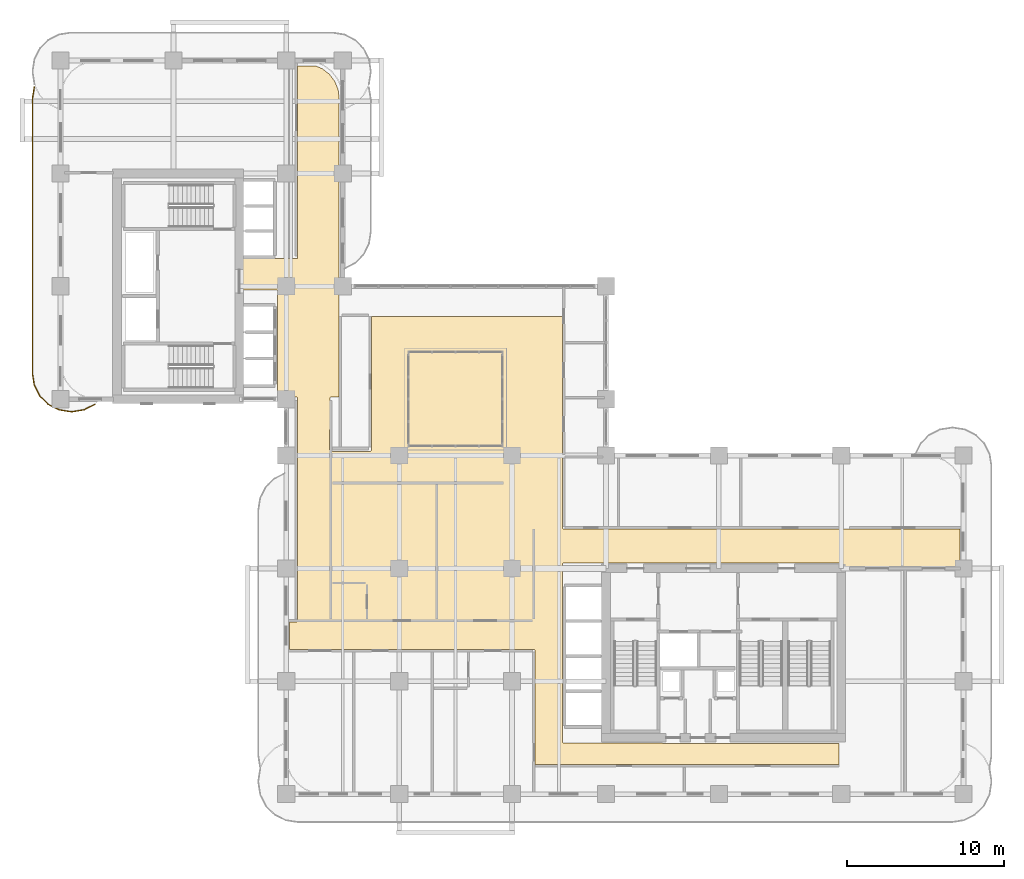
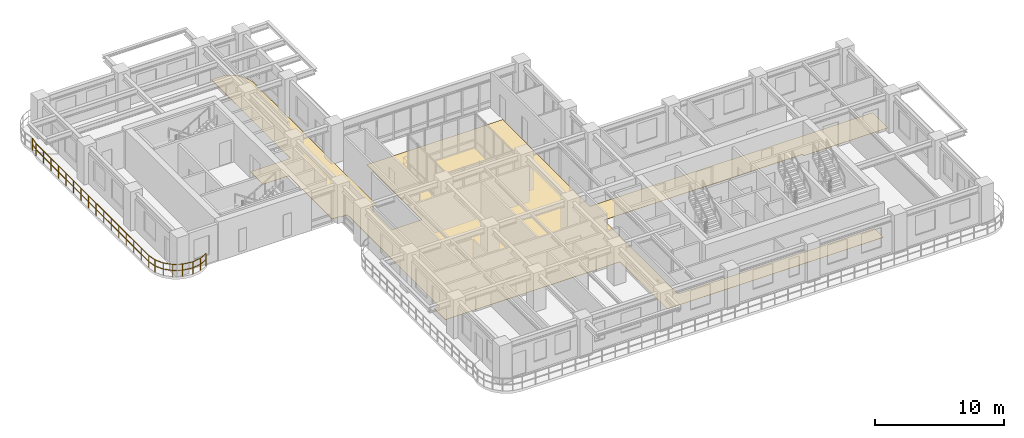
# One storey, part 21 of 22: 1 covering, 1 railing.
"""IFC4 building model written with IfcOpenShell, lengths in metres."""

from ifc_helpers import new_model, si_unit, derived_unit, direction, frame, origin, origin_2d, place, context, subcontext, project, spatial, polyline, rectangle, outline, extrude, material, layer, layer_set, type_object, element, save


model = new_model("IFC4")

# Units and contexts
model_context = context("Model", 3, precision=1e-05, world=origin(), true_north=direction((0.0, 1.0)))
body_context = subcontext(model_context, "Body", "Model", "MODEL_VIEW")
ifc_project = project(units=[si_unit("LENGTHUNIT", "METRE"), si_unit("AREAUNIT", "SQUARE_METRE"), si_unit("VOLUMEUNIT", "CUBIC_METRE"), si_unit("PLANEANGLEUNIT", "RADIAN"), si_unit("MASSUNIT", "GRAM", prefix="KILO"), si_unit("THERMODYNAMICTEMPERATUREUNIT", "KELVIN"), si_unit("POWERUNIT", "WATT"), derived_unit("THERMALTRANSMITTANCEUNIT", [(si_unit("POWERUNIT", "WATT"), 1), (si_unit("AREAUNIT", "SQUARE_METRE"), -1), (si_unit("THERMODYNAMICTEMPERATUREUNIT", "KELVIN"), -1)])], contexts=[model_context])

# Site, building, storey
site_placement = place(None, origin())
site = spatial("IfcSite", under=ifc_project, at=site_placement, CompositionType="ELEMENT")
building_placement = place(site_placement, origin())
building = spatial("IfcBuilding", under=site, at=building_placement, Name="Zahravan Archway Hotel and Residences", CompositionType="ELEMENT")
storey_placement = place(building_placement, frame((0.0, 0.0, 95.300048828125)))
storey = spatial("IfcBuildingStorey", under=building, at=storey_placement, Name="L23", CompositionType="ELEMENT", Elevation=95.300048828125)

# Covering
ifc_material_1 = material(Name="Engineered Walnut Parquet Flooring")
ifc_layer = layer(ifc_material_1, 0.02197265625, Name="Engineered Walnut Parquet Flooring")
ifc_layer_set = layer_set([ifc_layer], Name="Engineered Walnut Parquet Flooring")
covering_type = type_object("IfcCoveringType", Name="COV-FLR-TIMB", PredefinedType="FLOORING", material=ifc_layer_set)
covering_placement = place(storey_placement, origin())
element("IfcCovering", 1, at=covering_placement, inside=storey, type_object=covering_type, Name="L23 Circulation Floor Finish", PredefinedType="FLOORING", context=body_context, shape_type="SweptSolid", body=[
    extrude(outline(polyline([(32.021484375, 3.309326171875), (32.04345703125, 3.268310546875), (32.08447265625, 3.24658203125), (49.669921875, 3.2451171875), (49.669921875, 1.8798828125), (30.280029296875, 1.8798828125), (30.280029296875, 9.14990234375), (30.2666015625, 9.1943359375), (30.230712890625, 9.223876953125), (14.6201171875, 9.22998046875), (14.6201171875, 10.989990234375), (15.050048828125, 10.989990234375), (15.094482421875, 11.00341796875), (15.123779296875, 11.039306640625), (15.1298828125, 25.25), (15.116455078125, 25.29443359375), (15.08056640625, 25.323974609375), (14.5771484375, 25.330078125), (14.53955078125, 25.3701171875), (14.503662109375, 25.39404296875), (14.4638671875, 25.410400390625), (14.421630859375, 25.4189453125), (13.830078125, 25.419921875), (13.830078125, 32.10009765625), (13.81640625, 32.144287109375), (13.780517578125, 32.173828125), (11.530029296875, 32.179931640625), (11.530029296875, 34.169921875), (15.050048828125, 34.169921875), (15.094482421875, 34.18359375), (15.123779296875, 34.219482421875), (15.1298828125, 46.469970703125), (16.24560546875, 46.469970703125), (16.689208984375, 46.286376953125), (17.14013671875, 45.940185546875), (17.486328125, 45.489013671875), (17.703857421875, 44.9638671875), (17.77001953125, 44.46142578125), (17.77001953125, 25.330078125), (17.25, 25.330078125), (17.20556640625, 25.31640625), (17.176025390625, 25.280517578125), (17.169921875, 21.949951171875), (17.18359375, 21.905517578125), (17.219482421875, 21.876220703125), (19.75, 21.8701171875), (19.79443359375, 21.883544921875), (19.823974609375, 21.91943359375), (19.830078125, 30.469970703125), (32.02001953125, 30.469970703125), (32.02001953125, 17.0), (32.033447265625, 16.95556640625), (32.0693359375, 16.926025390625), (57.3798828125, 16.919921875), (57.3798828125, 14.530029296875), (49.830078125, 14.530029296875), (49.830078125, 14.675048828125), (49.81640625, 14.719482421875), (49.780517578125, 14.748779296875), (32.10009765625, 14.7548828125), (32.0556640625, 14.741455078125), (32.026123046875, 14.70556640625), (32.02001953125, 3.324951171875), (32.021484375, 3.309326171875)])), origin(), (0.0, 0.0, 1.0), 0.02197265625),
])

# Railing
ifc_material_2 = material(Name="Bronze & Laminated Glass Balustrade", Category="glass")
railing_type = type_object("IfcRailingType", Name="RL-BAL-1200", PredefinedType="BALUSTRADE", material=ifc_material_2)
railing_placement = place(storey_placement, frame((2.190185546875, 24.867919921875, 0.0)))
element("IfcRailing", 2, at=railing_placement, inside=storey, type_object=railing_type, Name="L23 Balustrade RL-SLB-BAL-L23-WB-1", PredefinedType="BALUSTRADE", context=body_context, shape_type="SweptSolid", body=[
    extrude(rectangle(XDim=0.048095703125, YDim=0.048095703125, at=origin_2d()), frame((0.0, 0.0, 1.17578125), z_axis=(-0.891090529897, -0.453825591531, 0.0), x_axis=(0.453825591531, -0.891090529897, 0.0)), (0.0, 0.0, 1.0), 0.7666015625),
    extrude(rectangle(XDim=0.048095703125, YDim=0.048095703125, at=origin_2d()), frame((0.0, 0.0, 0.60009765625), z_axis=(-0.891090529897, -0.453825591531, 0.0), x_axis=(0.453825591531, -0.891090529897, 0.0)), (0.0, 0.0, 1.0), 0.7666015625),
    extrude(rectangle(XDim=0.048095703125, YDim=0.048095703125, at=origin_2d()), frame((-0.68310546875, -0.347900390625, 1.17578125), z_axis=(-0.987646484274, -0.156698507018, 0.0), x_axis=(0.156698507018, -0.987646484274, 0.0)), (0.0, 0.0, 1.0), 0.7666015625),
    extrude(rectangle(XDim=0.048095703125, YDim=0.048095703125, at=origin_2d()), frame((-0.68310546875, -0.347900390625, 0.60009765625), z_axis=(-0.987646484274, -0.156698507018, 0.0), x_axis=(0.156698507018, -0.987646484274, 0.0)), (0.0, 0.0, 1.0), 0.7666015625),
    extrude(rectangle(XDim=0.048095703125, YDim=0.048095703125, at=origin_2d()), frame((-1.440185546875, -0.468017578125, 1.17578125), z_axis=(-1.0, 0.0, 0.0), x_axis=(0.0, -1.0, 0.0)), (0.0, 0.0, 1.0), 0.10009765625),
    extrude(rectangle(XDim=0.048095703125, YDim=0.048095703125, at=origin_2d()), frame((-1.440185546875, -0.468017578125, 0.60009765625), z_axis=(-1.0, 0.0, 0.0), x_axis=(0.0, -1.0, 0.0)), (0.0, 0.0, 1.0), 0.10009765625),
    extrude(rectangle(XDim=0.048095703125, YDim=0.048095703125, at=origin_2d()), frame((-1.540283203125, -0.468017578125, 1.17578125), z_axis=(-0.987646484274, 0.156698507018, 0.0), x_axis=(-0.156698507018, -0.987646484274, 0.0)), (0.0, 0.0, 1.0), 0.7666015625),
    extrude(rectangle(XDim=0.048095703125, YDim=0.048095703125, at=origin_2d()), frame((-1.540283203125, -0.468017578125, 0.60009765625), z_axis=(-0.987646484274, 0.156698507018, 0.0), x_axis=(-0.156698507018, -0.987646484274, 0.0)), (0.0, 0.0, 1.0), 0.7666015625),
    extrude(rectangle(XDim=0.048095703125, YDim=0.048095703125, at=origin_2d()), frame((-2.29736328125, -0.347900390625, 1.17578125), z_axis=(-0.891024909783, 0.453954414172, 0.0), x_axis=(-0.453954414172, -0.891024909783, 0.0)), (0.0, 0.0, 1.0), 0.766357421875),
    extrude(rectangle(XDim=0.048095703125, YDim=0.048095703125, at=origin_2d()), frame((-2.29736328125, -0.347900390625, 0.60009765625), z_axis=(-0.891024909783, 0.453954414172, 0.0), x_axis=(-0.453954414172, -0.891024909783, 0.0)), (0.0, 0.0, 1.0), 0.766357421875),
    extrude(rectangle(XDim=0.048095703125, YDim=0.048095703125, at=origin_2d()), frame((-2.980224609375, 0.0, 1.17578125), z_axis=(-0.707106781187, 0.707106781187, 0.0), x_axis=(-0.707106781187, -0.707106781187, 0.0)), (0.0, 0.0, 1.0), 0.7666015625),
    extrude(rectangle(XDim=0.048095703125, YDim=0.048095703125, at=origin_2d()), frame((-2.980224609375, 0.0, 0.60009765625), z_axis=(-0.707106781187, 0.707106781187, 0.0), x_axis=(-0.707106781187, -0.707106781187, 0.0)), (0.0, 0.0, 1.0), 0.7666015625),
    extrude(rectangle(XDim=0.048095703125, YDim=0.048095703125, at=origin_2d()), frame((-3.522216796875, 0.5419921875, 1.17578125), z_axis=(-0.454078418624, 0.890961721815, 0.0), x_axis=(-0.890961721815, -0.454078418624, 0.0)), (0.0, 0.0, 1.0), 0.7666015625),
    extrude(rectangle(XDim=0.048095703125, YDim=0.048095703125, at=origin_2d()), frame((-3.522216796875, 0.5419921875, 0.60009765625), z_axis=(-0.454078418624, 0.890961721815, 0.0), x_axis=(-0.890961721815, -0.454078418624, 0.0)), (0.0, 0.0, 1.0), 0.7666015625),
    extrude(rectangle(XDim=0.048095703125, YDim=0.048095703125, at=origin_2d()), frame((-3.870361328125, 1.22509765625, 1.17578125), z_axis=(-0.156387811283, 0.987695728695, 0.0), x_axis=(-0.987695728695, -0.156387811283, 0.0)), (0.0, 0.0, 1.0), 0.7666015625),
    extrude(rectangle(XDim=0.048095703125, YDim=0.048095703125, at=origin_2d()), frame((-3.870361328125, 1.22509765625, 0.60009765625), z_axis=(-0.156387811283, 0.987695728695, 0.0), x_axis=(-0.987695728695, -0.156387811283, 0.0)), (0.0, 0.0, 1.0), 0.7666015625),
    extrude(rectangle(XDim=0.048095703125, YDim=0.048095703125, at=origin_2d()), frame((-3.990234375, 1.982177734375, 1.17578125), z_axis=(0.0, 1.0, 0.0), x_axis=(-1.0, 0.0, 0.0)), (0.0, 0.0, 1.0), 17.5),
    extrude(rectangle(XDim=0.048095703125, YDim=0.048095703125, at=origin_2d()), frame((-3.990234375, 1.982177734375, 0.60009765625), z_axis=(0.0, 1.0, 0.0), x_axis=(-1.0, 0.0, 0.0)), (0.0, 0.0, 1.0), 17.5),
    extrude(rectangle(XDim=0.048095703125, YDim=0.048095703125, at=origin_2d()), frame((-3.990234375, 19.482177734375, 1.17578125), z_axis=(0.156387811283, 0.987695728695, 0.0), x_axis=(-0.987695728695, 0.156387811283, 0.0)), (0.0, 0.0, 1.0), 0.7666015625),
    extrude(rectangle(XDim=0.048095703125, YDim=0.048095703125, at=origin_2d()), frame((-3.990234375, 19.482177734375, 0.60009765625), z_axis=(0.156387811283, 0.987695728695, 0.0), x_axis=(-0.987695728695, 0.156387811283, 0.0)), (0.0, 0.0, 1.0), 0.7666015625),
    extrude(rectangle(XDim=0.0419921875, YDim=0.0419921875, at=origin_2d()), origin(), (0.0, 0.0, 1.0), 1.15185546875),
    extrude(rectangle(XDim=0.0419921875, YDim=0.0419921875, at=origin_2d()), frame((-0.68310546875, -0.347900390625, 0.0)), (0.0, 0.0, 1.0), 1.15185546875),
    extrude(rectangle(XDim=0.0419921875, YDim=0.0419921875, at=origin_2d()), frame((-1.440185546875, -0.468017578125, 0.0)), (0.0, 0.0, 1.0), 1.15185546875),
    extrude(rectangle(XDim=0.0419921875, YDim=0.0419921875, at=origin_2d()), frame((-2.29736328125, -0.347900390625, 0.0)), (0.0, 0.0, 1.0), 1.15185546875),
    extrude(rectangle(XDim=0.0419921875, YDim=0.0419921875, at=origin_2d()), frame((-2.980224609375, 0.0, 0.0)), (0.0, 0.0, 1.0), 1.15185546875),
    extrude(rectangle(XDim=0.0419921875, YDim=0.0419921875, at=origin_2d()), frame((-3.522216796875, 0.5419921875, 0.0)), (0.0, 0.0, 1.0), 1.15185546875),
    extrude(rectangle(XDim=0.0419921875, YDim=0.0419921875, at=origin_2d()), frame((-3.870361328125, 1.22509765625, 0.0)), (0.0, 0.0, 1.0), 1.15185546875),
    extrude(rectangle(XDim=0.0419921875, YDim=0.0419921875, at=origin_2d()), frame((-3.990234375, 1.982177734375, 0.0)), (0.0, 0.0, 1.0), 1.15185546875),
    extrude(rectangle(XDim=0.0419921875, YDim=0.0419921875, at=origin_2d()), frame((-3.990234375, 3.14892578125, 0.0)), (0.0, 0.0, 1.0), 1.15185546875),
    extrude(rectangle(XDim=0.0419921875, YDim=0.0419921875, at=origin_2d()), frame((-3.990234375, 4.3154296875, 0.0)), (0.0, 0.0, 1.0), 1.15185546875),
    extrude(rectangle(XDim=0.0419921875, YDim=0.0419921875, at=origin_2d()), frame((-3.990234375, 5.482177734375, 0.0)), (0.0, 0.0, 1.0), 1.15185546875),
    extrude(rectangle(XDim=0.0419921875, YDim=0.0419921875, at=origin_2d()), frame((-3.990234375, 6.64892578125, 0.0)), (0.0, 0.0, 1.0), 1.15185546875),
    extrude(rectangle(XDim=0.0419921875, YDim=0.0419921875, at=origin_2d()), frame((-3.990234375, 7.8154296875, 0.0)), (0.0, 0.0, 1.0), 1.15185546875),
    extrude(rectangle(XDim=0.0419921875, YDim=0.0419921875, at=origin_2d()), frame((-3.990234375, 8.982177734375, 0.0)), (0.0, 0.0, 1.0), 1.15185546875),
    extrude(rectangle(XDim=0.0419921875, YDim=0.0419921875, at=origin_2d()), frame((-3.990234375, 10.14892578125, 0.0)), (0.0, 0.0, 1.0), 1.15185546875),
    extrude(rectangle(XDim=0.0419921875, YDim=0.0419921875, at=origin_2d()), frame((-3.990234375, 11.3154296875, 0.0)), (0.0, 0.0, 1.0), 1.15185546875),
    extrude(rectangle(XDim=0.0419921875, YDim=0.0419921875, at=origin_2d()), frame((-3.990234375, 12.482177734375, 0.0)), (0.0, 0.0, 1.0), 1.15185546875),
    extrude(rectangle(XDim=0.0419921875, YDim=0.0419921875, at=origin_2d()), frame((-3.990234375, 13.64892578125, 0.0)), (0.0, 0.0, 1.0), 1.15185546875),
    extrude(rectangle(XDim=0.0419921875, YDim=0.0419921875, at=origin_2d()), frame((-3.990234375, 14.8154296875, 0.0)), (0.0, 0.0, 1.0), 1.15185546875),
    extrude(rectangle(XDim=0.0419921875, YDim=0.0419921875, at=origin_2d()), frame((-3.990234375, 15.982177734375, 0.0)), (0.0, 0.0, 1.0), 1.15185546875),
    extrude(rectangle(XDim=0.0419921875, YDim=0.0419921875, at=origin_2d()), frame((-3.990234375, 17.14892578125, 0.0)), (0.0, 0.0, 1.0), 1.15185546875),
    extrude(rectangle(XDim=0.0419921875, YDim=0.0419921875, at=origin_2d()), frame((-3.990234375, 18.3154296875, 0.0)), (0.0, 0.0, 1.0), 1.15185546875),
    extrude(rectangle(XDim=0.0419921875, YDim=0.0419921875, at=origin_2d()), frame((-3.990234375, 19.482177734375, 0.0)), (0.0, 0.0, 1.0), 1.15185546875),
    extrude(rectangle(XDim=0.0419921875, YDim=0.0419921875, at=origin_2d()), frame((-3.870361328125, 20.2392578125, 0.0)), (0.0, 0.0, 1.0), 1.15185546875),
])

save(model, "model.ifc")
